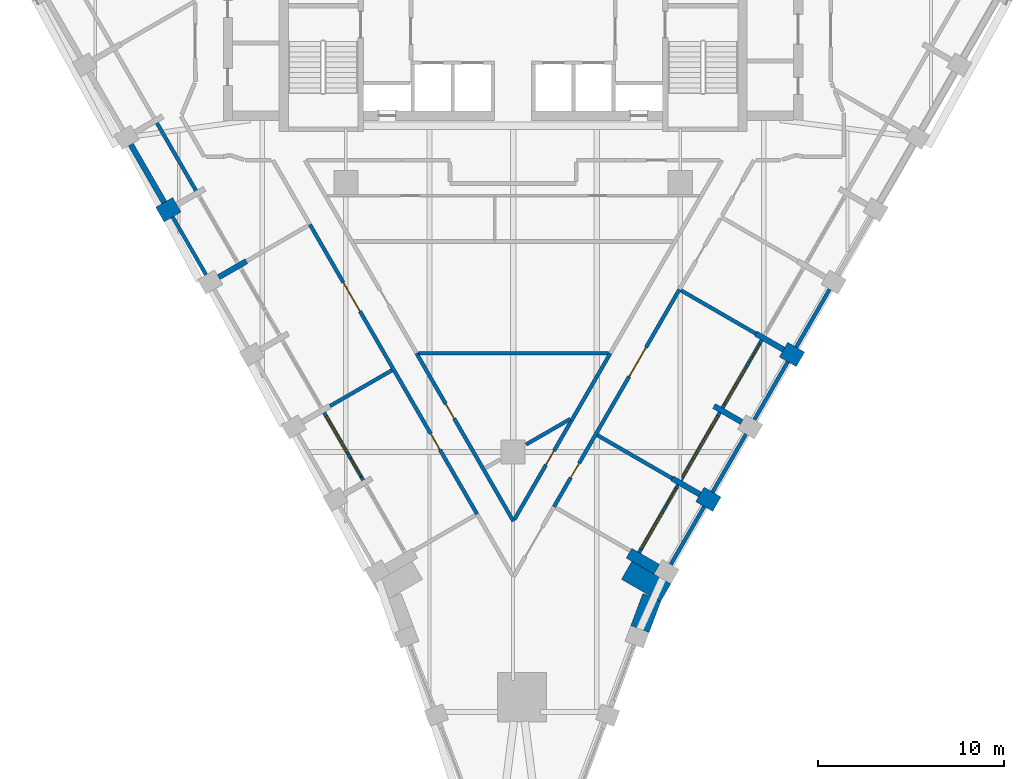
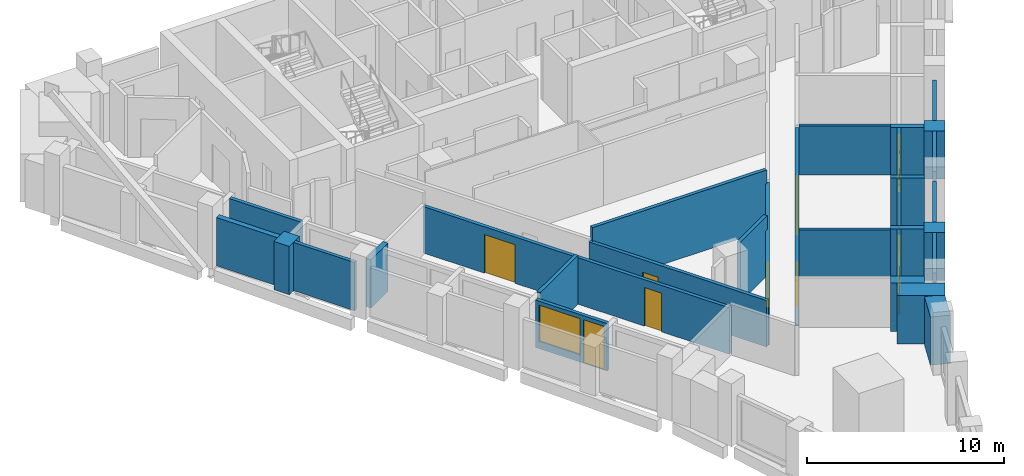
# One storey, part 3 of 9: 30 walls, 9 doors, 4 windows, 13 openings.
"""IFC4 building model written with IfcOpenShell, lengths in metres."""

from ifc_helpers import new_model, si_unit, direction, frame, frame_2d, origin, place, context, subcontext, project, spatial, polyline, rectangle, outline, extrude, material, layer, layer_set, type_object, element, fill, save


model = new_model("IFC4")

# Units and contexts
model_context = context("Model", 3, precision=1e-05, world=origin(), true_north=direction((0.0, 1.0)))
body_context = subcontext(model_context, "Body", "Model", "MODEL_VIEW")
ifc_project = project(units=[si_unit("LENGTHUNIT", "METRE"), si_unit("AREAUNIT", "SQUARE_METRE"), si_unit("VOLUMEUNIT", "CUBIC_METRE"), si_unit("PLANEANGLEUNIT", "RADIAN"), si_unit("MASSUNIT", "GRAM", prefix="KILO")], contexts=[model_context])

# Site, building, storey
site_placement = place(None, origin())
site = spatial("IfcSite", under=ifc_project, at=site_placement, CompositionType="ELEMENT")
building_placement = place(site_placement, origin())
building = spatial("IfcBuilding", under=site, at=building_placement, Name="Calabash Gate Tower", CompositionType="ELEMENT")
storey_placement = place(building_placement, frame((0.0, 0.0, 168.0)))
storey = spatial("IfcBuildingStorey", under=building, at=storey_placement, Name="L39", CompositionType="ELEMENT", Elevation=168.0)

# Walls
ifc_material_1 = material(Name="Terracotta brick masonry, exposed face", Category="masonry")
ifc_layer_1 = layer(ifc_material_1, 2.425048828125)
ifc_layer_set_1 = layer_set([ifc_layer_1], Name="Brick corner mass wall 2425")
wall_type_1 = type_object("IfcWallType", Name="Brick corner mass wall 2425", PredefinedType="SOLIDWALL", material=ifc_layer_set_1)
wall_1_placement = place(storey_placement, frame((8.21337890625, -19.57958984375, 0.0), z_axis=(0.0, 0.0, 1.0), x_axis=(-0.865997808697, 0.500047793048, 0.0)))
element("IfcWall", 1, at=wall_1_placement, inside=storey, type_object=wall_type_1, Name="Brick corner pier S11 2", PredefinedType="SOLIDWALL", context=body_context, shape_type="SweptSolid", body=[
    extrude(rectangle(XDim=2.425048828125, YDim=1.11669921875, at=frame_2d((1.21240234375, 0.0))), origin(), (0.0, 0.0, 1.0), 3.0),
])
ifc_material_2 = material(Name="Terracotta brick masonry, exposed face", Category="masonry")
ifc_layer_2 = layer(ifc_material_2, 1.050048828125)
ifc_layer_set_2 = layer_set([ifc_layer_2], Name="Brick end wall 1050")
wall_type_2 = type_object("IfcWallType", Name="Brick end wall 1050", PredefinedType="SOLIDWALL", material=ifc_layer_set_2)
wall_2_placement = place(storey_placement, frame((-19.00830078125, 0.779296875, 0.0), z_axis=(0.0, 0.0, 1.0), x_axis=(0.866088799389, 0.499890179513, 0.0)))
element("IfcWall", 2, at=wall_2_placement, inside=storey, type_object=wall_type_2, Name="Brick pier S11 SW0.3", PredefinedType="SOLIDWALL", context=body_context, shape_type="SweptSolid", body=[
    extrude(rectangle(XDim=1.050048828125, YDim=0.89990234375, at=frame_2d((0.52490234375, 0.0))), origin(), (0.0, 0.0, 1.0), 3.0),
])
for number, where, z_axis, x_axis, name in (
    (3, (10.967529296875, -14.80908203125, 0.0), (0.0, 0.0, 1.0), (-0.866030680601, 0.499990860175, 0.0), "Brick pier S11 SE4.1"),
    (4, (15.467529296875, -7.014892578125, 0.0), (0.0, 0.0, 1.0), (-0.866030680601, 0.499990860175, 0.0), "Brick pier S11 SE4.3"),
):
    element("IfcWall", number, at=place(storey_placement, frame(where, z_axis=z_axis, x_axis=x_axis)), inside=storey, type_object=wall_type_2, Name=name, PredefinedType="SOLIDWALL", context=body_context, shape_type="SweptSolid", body=[
        extrude(rectangle(XDim=1.0498046875, YDim=0.89990234375, at=frame_2d((0.52490234375, 0.0))), origin(), (0.0, 0.0, 1.0), 3.0),
    ])
wall_3_placement = place(storey_placement, origin())
element("IfcWall", 5, at=wall_3_placement, inside=storey, type_object=wall_type_2, Name="Brick end wall S11 3", PredefinedType="SOLIDWALL", context=body_context, shape_type="SweptSolid", body=[
    extrude(outline(polyline([(6.98828125, -19.61572265625), (6.337890625, -21.345947265625), (7.32080078125, -21.71533203125), (7.955810546875, -20.025634765625), (7.934326171875, -20.06298828125), (7.479736328125, -19.800537109375), (6.98828125, -19.61572265625)])), origin(), (0.0, 0.0, 1.0), 3.0),
])
ifc_material_3 = material(Name="Terracotta brick masonry, exposed face", Category="masonry")
ifc_layer_3 = layer(ifc_material_3, 0.300048828125)
ifc_layer_set_3 = layer_set([ifc_layer_3], Name="Brick infill panel wall 300")
wall_type_3 = type_object("IfcWallType", Name="Brick infill panel wall 300", PredefinedType="SOLIDWALL", material=ifc_layer_set_3)
wall_4_placement = place(storey_placement, frame((-20.57861328125, 4.54931640625, 0.0), z_axis=(0.0, 0.0, 1.0), x_axis=(0.499982693035, -0.866035395735, 0.0)))
element("IfcWall", 6, at=wall_4_placement, inside=storey, type_object=wall_type_3, Name="Brick panel S11 SW0.3", PredefinedType="SOLIDWALL", context=body_context, shape_type="SweptSolid", body=[
    extrude(rectangle(XDim=3.600341796875, YDim=0.300048828125, at=frame_2d((1.80029296875, 0.0))), origin(), (0.0, 0.0, 1.0), 3.0),
])
ifc_material_4 = material(Name="Terracotta brick masonry, exposed face", Category="masonry")
ifc_layer_4 = layer(ifc_material_4, 0.300048828125)
ifc_layer_set_4 = layer_set([ifc_layer_4], Name="Brick loggia cheek wall 300")
wall_type_4 = type_object("IfcWallType", Name="Brick loggia cheek wall 300", PredefinedType="SOLIDWALL", material=ifc_layer_set_4)
wall_5_placement = place(storey_placement, frame((-15.84814453125, -2.59228515625, 0.0), z_axis=(0.0, 0.0, 1.0), x_axis=(0.866029956157, 0.499992114976, 0.0)))
element("IfcWall", 7, at=wall_5_placement, inside=storey, type_object=wall_type_4, Name="Loggia cheek S11 SW0.4", PredefinedType="SOLIDWALL", context=body_context, shape_type="SweptSolid", body=[
    extrude(rectangle(XDim=1.72412109375, YDim=0.300048828125, at=frame_2d((0.862060546875, 0.0))), origin(), (0.0, 0.0, 1.0), 3.0),
])
wall_6_placement = place(storey_placement, frame((7.7333984375, -18.311279296875, 0.0), z_axis=(0.0, 0.0, 1.0), x_axis=(-0.866013532718, 0.500020560727, 0.0)))
element("IfcWall", 8, at=wall_6_placement, inside=storey, type_object=wall_type_4, Name="Loggia cheek S11 SE4.0", PredefinedType="SOLIDWALL", context=body_context, shape_type="SweptSolid", body=[
    extrude(rectangle(XDim=1.72509765625, YDim=0.60009765625, at=frame_2d((0.862548828125, 0.0))), origin(), (0.0, 0.0, 1.0), 3.0),
])
wall_7_placement = place(storey_placement, frame((10.058349609375, -14.2841796875, 0.0), z_axis=(0.0, 0.0, 1.0), x_axis=(-0.866013532718, 0.500020560727, 0.0)))
element("IfcWall", 9, at=wall_7_placement, inside=storey, type_object=wall_type_4, Name="Loggia cheek S11 SE4.1", PredefinedType="SOLIDWALL", context=body_context, shape_type="SweptSolid", body=[
    extrude(rectangle(XDim=1.72509765625, YDim=0.300048828125, at=frame_2d((0.862548828125, 0.0))), origin(), (0.0, 0.0, 1.0), 3.0),
])
wall_8_placement = place(storey_placement, frame((12.308349609375, -10.386962890625, 0.0), z_axis=(0.0, 0.0, 1.0), x_axis=(-0.866074815912, 0.499914405916, 0.0)))
element("IfcWall", 10, at=wall_8_placement, inside=storey, type_object=wall_type_4, Name="Loggia cheek S11 SE4.2", PredefinedType="SOLIDWALL", context=body_context, shape_type="SweptSolid", body=[
    extrude(rectangle(XDim=1.724853515625, YDim=0.300048828125, at=frame_2d((0.8623046875, 0.0))), origin(), (0.0, 0.0, 1.0), 3.0),
])
wall_9_placement = place(storey_placement, frame((14.558349609375, -6.489990234375, 0.0), z_axis=(0.0, 0.0, 1.0), x_axis=(-0.866013532718, 0.500020560727, 0.0)))
element("IfcWall", 11, at=wall_9_placement, inside=storey, type_object=wall_type_4, Name="Loggia cheek S11 SE4.3", PredefinedType="SOLIDWALL", context=body_context, shape_type="SweptSolid", body=[
    extrude(rectangle(XDim=1.72509765625, YDim=0.300048828125, at=frame_2d((0.862548828125, 0.0))), origin(), (0.0, 0.0, 1.0), 3.0),
])

# Wall, opening, door
ifc_material_5 = material(Name="Gypsum board on steel studs, mineral wool", Category="steel")
ifc_layer_5 = layer(ifc_material_5, 0.199951171875)
ifc_layer_set_5 = layer_set([ifc_layer_5], Name="Partition 200 gypsum board EI 60")
wall_type_5 = type_object("IfcWallType", Name="Partition 200 gypsum board EI 60", PredefinedType="PARTITIONING", material=ifc_layer_set_5)
wall_10_placement = place(storey_placement, frame((0.06787109375, -15.637939453125, 0.0), z_axis=(0.0, 0.0, 1.0), x_axis=(0.499989755964, 0.866031318101, 0.0)))
wall_10 = element("IfcWall", 12, at=wall_10_placement, inside=storey, type_object=wall_type_5, Name="Partition", PredefinedType="PARTITIONING", context=body_context, shape_type="SweptSolid", body=[
    extrude(rectangle(XDim=10.330810546875, YDim=0.199951171875, at=frame_2d((5.16552734375, 0.0))), origin(), (0.0, 0.0, 1.0), 2.884033203125),
])
opening_1_placement = place(wall_10_placement, frame((3.384521484375, 0.0, 0.0)))
opening_1 = element("IfcOpeningElement", 13, at=opening_1_placement, cuts=wall_10, Name="Opening 39-41-006", PredefinedType="OPENING", context=body_context, shape_type="SweptSolid", body=[
    extrude(rectangle(XDim=0.89990234375, YDim=2.10009765625, at=frame_2d((0.449951171875, 1.050048828125))), frame((0.0, 0.10986328125, 0.0), z_axis=(0.0, -1.0, 0.0), x_axis=(1.0, 0.0, 0.0)), (0.0, 0.0, 1.0), 0.219970703125),
])
ifc_material_6 = material(Name="Steel fire door set with fire-resisting glazing", Category="steel")
door_type_1 = type_object("IfcDoorType", Name="SD3 Store door 900x2100", OperationType="NOTDEFINED", PredefinedType="DOOR", material=ifc_material_6)
door_1_placement = place(opening_1_placement, origin())
door_1 = element("IfcDoor", 14, at=door_1_placement, inside=storey, type_object=door_type_1, Name="Store door", OperationType="SINGLE_SWING_LEFT", OverallHeight=2.10009765625, OverallWidth=0.89990234375, PredefinedType="DOOR", context=body_context, shape_type="SweptSolid", body=[
    extrude(rectangle(XDim=0.89990234375, YDim=2.10009765625, at=frame_2d((0.449951171875, 1.050048828125))), frame((0.0, 0.02490234375, 0.0), z_axis=(0.0, -1.0, 0.0), x_axis=(1.0, 0.0, 0.0)), (0.0, 0.0, 1.0), 0.050048828125),
])
fill(opening_1, door_1)

# Wall, openings, doors
wall_11_placement = place(storey_placement, frame((-10.93603515625, 0.24365234375, 0.0), z_axis=(0.0, 0.0, 1.0), x_axis=(0.5000018851, -0.866024315419, 0.0)))
wall_11 = element("IfcWall", 15, at=wall_11_placement, inside=storey, type_object=wall_type_5, Name="Partition", PredefinedType="PARTITIONING", context=body_context, shape_type="SweptSolid", body=[
    extrude(rectangle(XDim=18.0, YDim=0.199951171875, at=frame_2d((9.0, 0.0))), origin(), (0.0, 0.0, 1.0), 2.884033203125),
])
opening_2_placement = place(wall_11_placement, frame((3.60009765625, 0.0, 0.0)))
opening_2 = element("IfcOpeningElement", 16, at=opening_2_placement, cuts=wall_11, Name="Opening 39-41-001", PredefinedType="OPENING", context=body_context, shape_type="SweptSolid", body=[
    extrude(rectangle(XDim=1.800048828125, YDim=2.39990234375, at=frame_2d((0.89990234375, 1.199951171875))), frame((0.0, 0.10986328125, 0.0), z_axis=(0.0, -1.0, 0.0), x_axis=(1.0, 0.0, 0.0)), (0.0, 0.0, 1.0), 0.219970703125),
])
opening_3_placement = place(wall_11_placement, frame((13.0, 0.0, 0.0)))
opening_3 = element("IfcOpeningElement", 17, at=opening_3_placement, cuts=wall_11, Name="Opening 39-41-002", PredefinedType="OPENING", context=body_context, shape_type="SweptSolid", body=[
    extrude(rectangle(XDim=1.0, YDim=2.39990234375, at=frame_2d((0.5, 1.199951171875))), frame((0.0, 0.10986328125, 0.0), z_axis=(0.0, -1.0, 0.0), x_axis=(1.0, 0.0, 0.0)), (0.0, 0.0, 1.0), 0.219970703125),
])
ifc_material_7 = material(Name="Painted timber door", Category="wood")
door_type_2 = type_object("IfcDoorType", Name="OD2 Glazed office door 1000x2400", OperationType="NOTDEFINED", PredefinedType="DOOR", material=ifc_material_7)
door_2_placement = place(opening_3_placement, origin())
door_2 = element("IfcDoor", 18, at=door_2_placement, inside=storey, type_object=door_type_2, Name="Glazed office door", OperationType="SINGLE_SWING_LEFT", OverallHeight=2.39990234375, OverallWidth=1.0, PredefinedType="DOOR", context=body_context, shape_type="SweptSolid", body=[
    extrude(rectangle(XDim=1.0, YDim=2.39990234375, at=frame_2d((0.5, 1.199951171875))), frame((0.0, 0.02490234375, 0.0), z_axis=(0.0, -1.0, 0.0), x_axis=(1.0, 0.0, 0.0)), (0.0, 0.0, 1.0), 0.050048828125),
])
fill(opening_3, door_2)
ifc_material_8 = material(Name="Steel fire door set with fire-resisting glazing", Category="steel")
door_type_3 = type_object("IfcDoorType", Name="TD1 Tenancy entrance double door 1800x2400", OperationType="NOTDEFINED", PredefinedType="DOOR", material=ifc_material_8)
door_3_placement = place(opening_2_placement, origin())
door_3 = element("IfcDoor", 19, at=door_3_placement, inside=storey, type_object=door_type_3, Name="Tenancy entrance double door", OperationType="DOUBLE_DOOR_SINGLE_SWING", OverallHeight=2.39990234375, OverallWidth=1.800048828125, PredefinedType="DOOR", context=body_context, shape_type="SweptSolid", body=[
    extrude(rectangle(XDim=1.800048828125, YDim=2.39990234375, at=frame_2d((0.89990234375, 1.199951171875))), frame((0.0, 0.02490234375, 0.0), z_axis=(0.0, -1.0, 0.0), x_axis=(1.0, 0.0, 0.0)), (0.0, 0.0, 1.0), 0.050048828125),
])
fill(opening_2, door_3)

# Walls
wall_12_placement = place(storey_placement, frame((0.699951171875, -11.595703125, 0.0), z_axis=(0.0, 0.0, 1.0), x_axis=(0.865997634224, 0.500048095206, 0.0)))
element("IfcWall", 20, at=wall_12_placement, inside=storey, type_object=wall_type_5, Name="Partition", PredefinedType="PARTITIONING", context=body_context, shape_type="SweptSolid", body=[
    extrude(rectangle(XDim=2.747314453125, YDim=0.199951171875, at=frame_2d((1.37353515625, 0.0))), origin(), (0.0, 0.0, 1.0), 3.72998046875),
])
wall_13_placement = place(storey_placement, frame((4.53857421875, -11.09521484375, 0.0), z_axis=(0.0, 0.0, 1.0), x_axis=(0.865854964183, -0.50029509392, 0.0)))
element("IfcWall", 21, at=wall_13_placement, inside=storey, type_object=wall_type_5, Name="Partition", PredefinedType="PARTITIONING", context=body_context, shape_type="SweptSolid", body=[
    extrude(rectangle(XDim=4.649658203125, YDim=0.199951171875, at=frame_2d((2.32470703125, 0.0))), origin(), (0.0, 0.0, 1.0), 2.884033203125),
])
wall_14_placement = place(storey_placement, frame((-9.85498046875, -9.524658203125, 0.0), z_axis=(0.0, 0.0, 1.0), x_axis=(0.866261590682, 0.499590688974, 0.0)))
element("IfcWall", 22, at=wall_14_placement, inside=storey, type_object=wall_type_5, Name="Partition", PredefinedType="PARTITIONING", context=body_context, shape_type="SweptSolid", body=[
    extrude(rectangle(XDim=3.849853515625, YDim=0.199951171875, at=frame_2d((1.9248046875, 0.0))), origin(), (0.0, 0.0, 1.0), 3.052001953125),
])

# Wall, opening, door
wall_15_placement = place(storey_placement, frame((-5.196044921875, -6.690185546875, 0.0), z_axis=(0.0, 0.0, 1.0), x_axis=(0.499990567915, -0.866030849332, 0.0)))
wall_15 = element("IfcWall", 23, at=wall_15_placement, inside=storey, type_object=wall_type_5, Name="Partition", PredefinedType="PARTITIONING", context=body_context, shape_type="SweptSolid", body=[
    extrude(rectangle(XDim=10.430908203125, YDim=0.199951171875, at=frame_2d((5.21533203125, 0.0))), origin(), (0.0, 0.0, 1.0), 2.884033203125),
])
opening_4_placement = place(wall_15_placement, frame((3.147705078125, 0.0, 0.0)))
opening_4 = element("IfcOpeningElement", 24, at=opening_4_placement, cuts=wall_15, Name="Opening 39-41-007", PredefinedType="OPENING", context=body_context, shape_type="SweptSolid", body=[
    extrude(rectangle(XDim=0.89990234375, YDim=2.10009765625, at=frame_2d((0.449951171875, 1.050048828125))), frame((0.0, 0.10986328125, 0.0), z_axis=(0.0, -1.0, 0.0), x_axis=(1.0, 0.0, 0.0)), (0.0, 0.0, 1.0), 0.219970703125),
])
door_4_placement = place(opening_4_placement, origin())
door_4 = element("IfcDoor", 25, at=door_4_placement, inside=storey, type_object=door_type_1, Name="Store door", OperationType="SINGLE_SWING_LEFT", OverallHeight=2.10009765625, OverallWidth=0.89990234375, PredefinedType="DOOR", context=body_context, shape_type="SweptSolid", body=[
    extrude(rectangle(XDim=0.89990234375, YDim=2.10009765625, at=frame_2d((0.449951171875, 1.050048828125))), frame((0.0, 0.02490234375, 0.0), z_axis=(0.0, -1.0, 0.0), x_axis=(1.0, 0.0, 0.0)), (0.0, 0.0, 1.0), 0.050048828125),
])
fill(opening_4, door_4)

# Walls
wall_16_placement = place(storey_placement, frame((-5.098388671875, -6.68994140625, 0.0), z_axis=(0.0, 0.0, 1.0), x_axis=(0.99999998975, 0.000143177586, 0.0)))
element("IfcWall", 26, at=wall_16_placement, inside=storey, type_object=wall_type_5, Name="Partition", PredefinedType="PARTITIONING", context=body_context, shape_type="SweptSolid", body=[
    extrude(rectangle(XDim=10.23095703125, YDim=0.199951171875, at=frame_2d((5.115478515625, 0.0))), origin(), (0.0, 0.0, 1.0), 3.72998046875),
])
wall_17_placement = place(storey_placement, frame((9.0400390625, -3.3017578125, 0.0), z_axis=(0.0, 0.0, 1.0), x_axis=(0.865844341998, -0.500313477162, 0.0)))
element("IfcWall", 27, at=wall_17_placement, inside=storey, type_object=wall_type_5, Name="Partition", PredefinedType="PARTITIONING", context=body_context, shape_type="SweptSolid", body=[
    extrude(rectangle(XDim=4.64794921875, YDim=0.199951171875, at=frame_2d((2.323974609375, 0.0))), origin(), (0.0, 0.0, 1.0), 3.052001953125),
])

# Wall, openings, doors
wall_18_placement = place(storey_placement, frame((2.202392578125, -14.94482421875, 0.0), z_axis=(0.0, 0.0, 1.0), x_axis=(0.499997969693, 0.866026575979, 0.0)))
wall_18 = element("IfcWall", 28, at=wall_18_placement, inside=storey, type_object=wall_type_5, Name="Partition", PredefinedType="PARTITIONING", context=body_context, shape_type="SweptSolid", body=[
    extrude(rectangle(XDim=13.5, YDim=0.199951171875, at=frame_2d((6.75, 0.0))), origin(), (0.0, 0.0, 1.0), 2.884033203125),
])
opening_5_placement = place(wall_18_placement, frame((1.800048828125, 0.0, 0.0)))
opening_5 = element("IfcOpeningElement", 29, at=opening_5_placement, cuts=wall_18, Name="Opening 39-41-003", PredefinedType="OPENING", context=body_context, shape_type="SweptSolid", body=[
    extrude(rectangle(XDim=0.89990234375, YDim=2.10009765625, at=frame_2d((0.449951171875, 1.050048828125))), frame((0.0, 0.10986328125, 0.0), z_axis=(0.0, -1.0, 0.0), x_axis=(1.0, 0.0, 0.0)), (0.0, 0.0, 1.0), 0.219970703125),
])
opening_6_placement = place(wall_18_placement, frame((8.10009765625, 0.0, 0.0)))
opening_6 = element("IfcOpeningElement", 30, at=opening_6_placement, cuts=wall_18, Name="Opening 39-41-004", PredefinedType="OPENING", context=body_context, shape_type="SweptSolid", body=[
    extrude(rectangle(XDim=1.800048828125, YDim=2.39990234375, at=frame_2d((0.89990234375, 1.199951171875))), frame((0.0, 0.10986328125, 0.0), z_axis=(0.0, -1.0, 0.0), x_axis=(1.0, 0.0, 0.0)), (0.0, 0.0, 1.0), 0.219970703125),
])
ifc_material_9 = material(Name="Painted timber door", Category="wood")
door_type_4 = type_object("IfcDoorType", Name="OD1 Office door 900x2100", OperationType="NOTDEFINED", PredefinedType="DOOR", material=ifc_material_9)
door_5_placement = place(opening_5_placement, origin())
door_5 = element("IfcDoor", 31, at=door_5_placement, inside=storey, type_object=door_type_4, Name="Office door", OperationType="SINGLE_SWING_RIGHT", OverallHeight=2.10009765625, OverallWidth=0.89990234375, PredefinedType="DOOR", context=body_context, shape_type="SweptSolid", body=[
    extrude(rectangle(XDim=0.89990234375, YDim=2.10009765625, at=frame_2d((0.449951171875, 1.050048828125))), frame((0.0, 0.02490234375, 0.0), z_axis=(0.0, -1.0, 0.0), x_axis=(1.0, 0.0, 0.0)), (0.0, 0.0, 1.0), 0.050048828125),
])
fill(opening_5, door_5)
door_6_placement = place(opening_6_placement, origin())
door_6 = element("IfcDoor", 32, at=door_6_placement, inside=storey, type_object=door_type_3, Name="Tenancy entrance double door", OperationType="DOUBLE_DOOR_SINGLE_SWING", OverallHeight=2.39990234375, OverallWidth=1.800048828125, PredefinedType="DOOR", context=body_context, shape_type="SweptSolid", body=[
    extrude(rectangle(XDim=1.800048828125, YDim=2.39990234375, at=frame_2d((0.89990234375, 1.199951171875))), frame((0.0, 0.02490234375, 0.0), z_axis=(0.0, -1.0, 0.0), x_axis=(1.0, 0.0, 0.0)), (0.0, 0.0, 1.0), 0.050048828125),
])
fill(opening_6, door_6)

# Walls
ifc_material_10 = material(Name="Terracotta brick masonry, perforated", Category="masonry")
ifc_layer_6 = layer(ifc_material_10, 0.199951171875)
ifc_layer_set_6 = layer_set([ifc_layer_6], Name="Terracotta jaali screen A")
wall_type_6 = type_object("IfcWallType", Name="Terracotta jaali screen A", PredefinedType="SOLIDWALL", material=ifc_layer_set_6)
wall_19_placement = place(storey_placement, origin())
element("IfcWall", 33, at=wall_19_placement, inside=storey, type_object=wall_type_6, Name="SCREEN A S11 SW0.4", PredefinedType="SOLIDWALL", context=body_context, shape_type="SweptSolid", body=[
    extrude(outline(polyline([(-18.415283203125, 0.60205078125), (-16.616455078125, -2.513671875), (-16.443115234375, -2.413818359375), (-18.241943359375, 0.7021484375), (-18.415283203125, 0.60205078125)])), origin(), (0.0, 0.0, 1.0), 3.0),
])
for number, where, z_axis, x_axis, name in (
    (34, (8.488037109375, -18.053955078125, 0.0), (0.0, 0.0, 1.0), (0.500012057535, 0.866018442252, 0.0), "SCREEN A S11 SE4.1"),
    (35, (10.738037109375, -14.156982421875, 0.0), (0.0, 0.0, 1.0), (0.500012057535, 0.866018442252, 0.0), "SCREEN A S11 SE4.2"),
    (36, (12.988037109375, -10.259765625, 0.0), (0.0, 0.0, 1.0), (0.500012057535, 0.866018442252, 0.0), "SCREEN A S11 SE4.3"),
    (37, (15.238037109375, -6.36279296875, 0.0), (0.0, 0.0, 1.0), (0.500012057535, 0.866018442252, 0.0), "SCREEN A S11 SE4.4"),
):
    element("IfcWall", number, at=place(storey_placement, frame(where, z_axis=z_axis, x_axis=x_axis)), inside=storey, type_object=wall_type_6, Name=name, PredefinedType="SOLIDWALL", context=body_context, shape_type="SweptSolid", body=[
        extrude(rectangle(XDim=3.60009765625, YDim=0.199951171875, at=frame_2d((1.800048828125, 0.0))), origin(), (0.0, 0.0, 1.0), 3.0),
    ])
ifc_material_11 = material(Name="Aluminium framed window wall with insulated spandrel", Category="aluminium")
ifc_layer_7 = layer(ifc_material_11, 0.199951171875)
ifc_layer_set_7 = layer_set([ifc_layer_7], Name="Window wall 200")
wall_type_7 = type_object("IfcWallType", Name="Window wall 200", PredefinedType="ELEMENTEDWALL", material=ifc_layer_set_7)
wall_20_placement = place(storey_placement, frame((-19.169921875, 5.708984375, 0.0), z_axis=(0.0, 0.0, 1.0), x_axis=(0.500027713859, -0.866009402589, 0.0)))
element("IfcWall", 38, at=wall_20_placement, inside=storey, type_object=wall_type_7, Name="Window wall S11 SW0.3", PredefinedType="ELEMENTEDWALL", context=body_context, shape_type="SweptSolid", body=[
    extrude(rectangle(XDim=4.199951171875, YDim=0.199951171875, at=frame_2d((2.10009765625, 0.0))), origin(), (0.0, 0.0, 1.0), 2.9501953125),
])

# Wall, openings, door, window
wall_21_placement = place(storey_placement, frame((-10.169921875, -9.87939453125, 0.0), z_axis=(0.0, 0.0, 1.0), x_axis=(0.500002543286, -0.866023935413, 0.0)))
wall_21 = element("IfcWall", 39, at=wall_21_placement, inside=storey, type_object=wall_type_7, Name="Window wall S11 SW0.7", PredefinedType="ELEMENTEDWALL", context=body_context, shape_type="SweptSolid", body=[
    extrude(rectangle(XDim=4.2001953125, YDim=0.199951171875, at=frame_2d((2.10009765625, 0.0))), origin(), (0.0, 0.0, 1.0), 2.9501953125),
])
opening_7_placement = place(wall_21_placement, frame((0.199951171875, 0.0, 0.449951171875)))
opening_7 = element("IfcOpeningElement", 40, at=opening_7_placement, cuts=wall_21, Name="Opening OW1", PredefinedType="OPENING", context=body_context, shape_type="SweptSolid", body=[
    extrude(rectangle(XDim=2.39990234375, YDim=2.25, at=frame_2d((1.199951171875, 1.125))), frame((0.0, 0.10986328125, 0.0), z_axis=(0.0, -1.0, 0.0), x_axis=(1.0, 0.0, 0.0)), (0.0, 0.0, 1.0), 0.219970703125),
])
opening_8_placement = place(wall_21_placement, frame((2.800048828125, 0.0, 0.0)))
opening_8 = element("IfcOpeningElement", 41, at=opening_8_placement, cuts=wall_21, Name="Opening O3-027", PredefinedType="OPENING", context=body_context, shape_type="SweptSolid", body=[
    extrude(rectangle(XDim=1.199951171875, YDim=2.699951171875, at=frame_2d((0.60009765625, 1.35009765625))), frame((0.0, 0.10986328125, 0.0), z_axis=(0.0, -1.0, 0.0), x_axis=(1.0, 0.0, 0.0)), (0.0, 0.0, 1.0), 0.219970703125),
])
ifc_material_12 = material(Name="Anodised aluminium frame, bronze finish, impact-rated laminated clear glazing", Category="aluminium")
door_type_5 = type_object("IfcDoorType", Name="Loggia door DO1 1200x2700", OperationType="SLIDING_TO_LEFT", PredefinedType="DOOR", material=ifc_material_12)
door_7_placement = place(opening_8_placement, origin())
door_7 = element("IfcDoor", 42, at=door_7_placement, inside=storey, type_object=door_type_5, Name="Loggia door S11 SW0.7", OperationType="SINGLE_SWING_LEFT", OverallHeight=2.699951171875, OverallWidth=1.199951171875, PredefinedType="DOOR", context=body_context, shape_type="SweptSolid", body=[
    extrude(rectangle(XDim=1.199951171875, YDim=2.699951171875, at=frame_2d((0.60009765625, 1.35009765625))), frame((0.0, 0.02490234375, 0.0), z_axis=(0.0, -1.0, 0.0), x_axis=(1.0, 0.0, 0.0)), (0.0, 0.0, 1.0), 0.050048828125),
])
fill(opening_8, door_7)
ifc_material_13 = material(Name="Anodised aluminium frame, bronze finish, impact-rated laminated clear glazing", Category="aluminium")
window_type_1 = type_object("IfcWindowType", Name="Window OW1 2400x2250", PartitioningType="DOUBLE_PANEL_VERTICAL", PredefinedType="WINDOW", material=ifc_material_13)
window_1_placement = place(opening_7_placement, origin())
window_1 = element("IfcWindow", 43, at=window_1_placement, inside=storey, type_object=window_type_1, Name="Window OW1 S11 SW0.7", OverallHeight=2.25, OverallWidth=2.39990234375, PartitioningType="SINGLE_PANEL", PredefinedType="WINDOW", context=body_context, shape_type="SweptSolid", body=[
    extrude(rectangle(XDim=2.39990234375, YDim=2.25, at=frame_2d((1.199951171875, 1.125))), frame((0.0, 0.030029296875, 0.0), z_axis=(0.0, -1.0, 0.0), x_axis=(1.0, 0.0, 0.0)), (0.0, 0.0, 1.0), 0.06005859375),
])
fill(opening_7, window_1)

wall_22_placement = place(storey_placement, frame((6.779052734375, -17.413818359375, 0.0), z_axis=(0.0, 0.0, 1.0), x_axis=(0.500027713859, 0.866009402589, 0.0)))
wall_22 = element("IfcWall", 44, at=wall_22_placement, inside=storey, type_object=wall_type_7, Name="Window wall S11 SE4.1", PredefinedType="ELEMENTEDWALL", context=body_context, shape_type="SweptSolid", body=[
    extrude(rectangle(XDim=4.199951171875, YDim=0.199951171875, at=frame_2d((2.10009765625, 0.0))), origin(), (0.0, 0.0, 1.0), 3.0),
])
opening_9_placement = place(wall_22_placement, frame((0.199951171875, 0.0, 0.449951171875)))
opening_9 = element("IfcOpeningElement", 45, at=opening_9_placement, cuts=wall_22, Name="Opening OW1", PredefinedType="OPENING", context=body_context, shape_type="SweptSolid", body=[
    extrude(rectangle(XDim=2.39990234375, YDim=2.25, at=frame_2d((1.199951171875, 1.125))), frame((0.0, 0.10986328125, 0.0), z_axis=(0.0, -1.0, 0.0), x_axis=(1.0, 0.0, 0.0)), (0.0, 0.0, 1.0), 0.219970703125),
])
opening_10_placement = place(wall_22_placement, frame((2.800048828125, 0.0, 0.0)))
opening_10 = element("IfcOpeningElement", 46, at=opening_10_placement, cuts=wall_22, Name="Opening O3-023", PredefinedType="OPENING", context=body_context, shape_type="SweptSolid", body=[
    extrude(rectangle(XDim=1.199951171875, YDim=2.699951171875, at=frame_2d((0.60009765625, 1.35009765625))), frame((0.0, 0.10986328125, 0.0), z_axis=(0.0, -1.0, 0.0), x_axis=(1.0, 0.0, 0.0)), (0.0, 0.0, 1.0), 0.219970703125),
])
door_8_placement = place(opening_10_placement, origin())
door_8 = element("IfcDoor", 47, at=door_8_placement, inside=storey, type_object=door_type_5, Name="Loggia door S11 SE4.1", OperationType="SINGLE_SWING_LEFT", OverallHeight=2.699951171875, OverallWidth=1.199951171875, PredefinedType="DOOR", context=body_context, shape_type="SweptSolid", body=[
    extrude(rectangle(XDim=1.199951171875, YDim=2.699951171875, at=frame_2d((0.60009765625, 1.35009765625))), frame((0.0, 0.02490234375, 0.0), z_axis=(0.0, -1.0, 0.0), x_axis=(1.0, 0.0, 0.0)), (0.0, 0.0, 1.0), 0.050048828125),
])
fill(opening_10, door_8)
window_2_placement = place(opening_9_placement, origin())
window_2 = element("IfcWindow", 48, at=window_2_placement, inside=storey, type_object=window_type_1, Name="Window OW1 S11 SE4.1", OverallHeight=2.25, OverallWidth=2.39990234375, PartitioningType="SINGLE_PANEL", PredefinedType="WINDOW", context=body_context, shape_type="SweptSolid", body=[
    extrude(rectangle(XDim=2.39990234375, YDim=2.25, at=frame_2d((1.199951171875, 1.125))), frame((0.0, 0.030029296875, 0.0), z_axis=(0.0, -1.0, 0.0), x_axis=(1.0, 0.0, 0.0)), (0.0, 0.0, 1.0), 0.06005859375),
])
fill(opening_9, window_2)

# Wall, opening, window
wall_23_placement = place(storey_placement, frame((9.029052734375, -13.516845703125, 0.0), z_axis=(0.0, 0.0, 1.0), x_axis=(0.500002543286, 0.866023935413, 0.0)))
wall_23 = element("IfcWall", 49, at=wall_23_placement, inside=storey, type_object=wall_type_7, Name="Window wall S11 SE4.2", PredefinedType="ELEMENTEDWALL", context=body_context, shape_type="SweptSolid", body=[
    extrude(rectangle(XDim=4.2001953125, YDim=0.199951171875, at=frame_2d((2.10009765625, 0.0))), origin(), (0.0, 0.0, 1.0), 2.9501953125),
])
opening_11_placement = place(wall_23_placement, frame((0.199951171875, 0.0, 0.449951171875)))
opening_11 = element("IfcOpeningElement", 50, at=opening_11_placement, cuts=wall_23, Name="Opening OW2", PredefinedType="OPENING", context=body_context, shape_type="SweptSolid", body=[
    extrude(rectangle(XDim=3.800048828125, YDim=2.25, at=frame_2d((1.89990234375, 1.125))), frame((0.0, 0.10986328125, 0.0), z_axis=(0.0, -1.0, 0.0), x_axis=(1.0, 0.0, 0.0)), (0.0, 0.0, 1.0), 0.219970703125),
])
ifc_material_14 = material(Name="Anodised aluminium frame, bronze finish, impact-rated laminated clear glazing", Category="aluminium")
window_type_2 = type_object("IfcWindowType", Name="Window OW2 3800x2250", PartitioningType="TRIPLE_PANEL_VERTICAL", PredefinedType="WINDOW", material=ifc_material_14)
window_3_placement = place(opening_11_placement, origin())
window_3 = element("IfcWindow", 51, at=window_3_placement, inside=storey, type_object=window_type_2, Name="Window OW2 S11 SE4.2", OverallHeight=2.25, OverallWidth=3.800048828125, PartitioningType="SINGLE_PANEL", PredefinedType="WINDOW", context=body_context, shape_type="SweptSolid", body=[
    extrude(rectangle(XDim=3.800048828125, YDim=2.25, at=frame_2d((1.89990234375, 1.125))), frame((0.0, 0.030029296875, 0.0), z_axis=(0.0, -1.0, 0.0), x_axis=(1.0, 0.0, 0.0)), (0.0, 0.0, 1.0), 0.06005859375),
])
fill(opening_11, window_3)

# Wall, openings, door, window
wall_24_placement = place(storey_placement, frame((11.279052734375, -9.61962890625, 0.0), z_axis=(0.0, 0.0, 1.0), x_axis=(0.500027713859, 0.866009402589, 0.0)))
wall_24 = element("IfcWall", 52, at=wall_24_placement, inside=storey, type_object=wall_type_7, Name="Window wall S11 SE4.3", PredefinedType="ELEMENTEDWALL", context=body_context, shape_type="SweptSolid", body=[
    extrude(rectangle(XDim=4.199951171875, YDim=0.199951171875, at=frame_2d((2.10009765625, 0.0))), origin(), (0.0, 0.0, 1.0), 3.0),
])
opening_12_placement = place(wall_24_placement, frame((0.199951171875, 0.0, 0.449951171875)))
opening_12 = element("IfcOpeningElement", 53, at=opening_12_placement, cuts=wall_24, Name="Opening OW1", PredefinedType="OPENING", context=body_context, shape_type="SweptSolid", body=[
    extrude(rectangle(XDim=2.39990234375, YDim=2.25, at=frame_2d((1.199951171875, 1.125))), frame((0.0, 0.10986328125, 0.0), z_axis=(0.0, -1.0, 0.0), x_axis=(1.0, 0.0, 0.0)), (0.0, 0.0, 1.0), 0.219970703125),
])
opening_13_placement = place(wall_24_placement, frame((2.800048828125, 0.0, 0.0)))
opening_13 = element("IfcOpeningElement", 54, at=opening_13_placement, cuts=wall_24, Name="Opening O3-024", PredefinedType="OPENING", context=body_context, shape_type="SweptSolid", body=[
    extrude(rectangle(XDim=1.199951171875, YDim=2.699951171875, at=frame_2d((0.60009765625, 1.35009765625))), frame((0.0, 0.10986328125, 0.0), z_axis=(0.0, -1.0, 0.0), x_axis=(1.0, 0.0, 0.0)), (0.0, 0.0, 1.0), 0.219970703125),
])
door_9_placement = place(opening_13_placement, origin())
door_9 = element("IfcDoor", 55, at=door_9_placement, inside=storey, type_object=door_type_5, Name="Loggia door S11 SE4.3", OperationType="SINGLE_SWING_LEFT", OverallHeight=2.699951171875, OverallWidth=1.199951171875, PredefinedType="DOOR", context=body_context, shape_type="SweptSolid", body=[
    extrude(rectangle(XDim=1.199951171875, YDim=2.699951171875, at=frame_2d((0.60009765625, 1.35009765625))), frame((0.0, 0.02490234375, 0.0), z_axis=(0.0, -1.0, 0.0), x_axis=(1.0, 0.0, 0.0)), (0.0, 0.0, 1.0), 0.050048828125),
])
fill(opening_13, door_9)
window_4_placement = place(opening_12_placement, origin())
window_4 = element("IfcWindow", 56, at=window_4_placement, inside=storey, type_object=window_type_1, Name="Window OW1 S11 SE4.3", OverallHeight=2.25, OverallWidth=2.39990234375, PartitioningType="SINGLE_PANEL", PredefinedType="WINDOW", context=body_context, shape_type="SweptSolid", body=[
    extrude(rectangle(XDim=2.39990234375, YDim=2.25, at=frame_2d((1.199951171875, 1.125))), frame((0.0, 0.030029296875, 0.0), z_axis=(0.0, -1.0, 0.0), x_axis=(1.0, 0.0, 0.0)), (0.0, 0.0, 1.0), 0.06005859375),
])
fill(opening_12, window_4)

save(model, "model.ifc")
